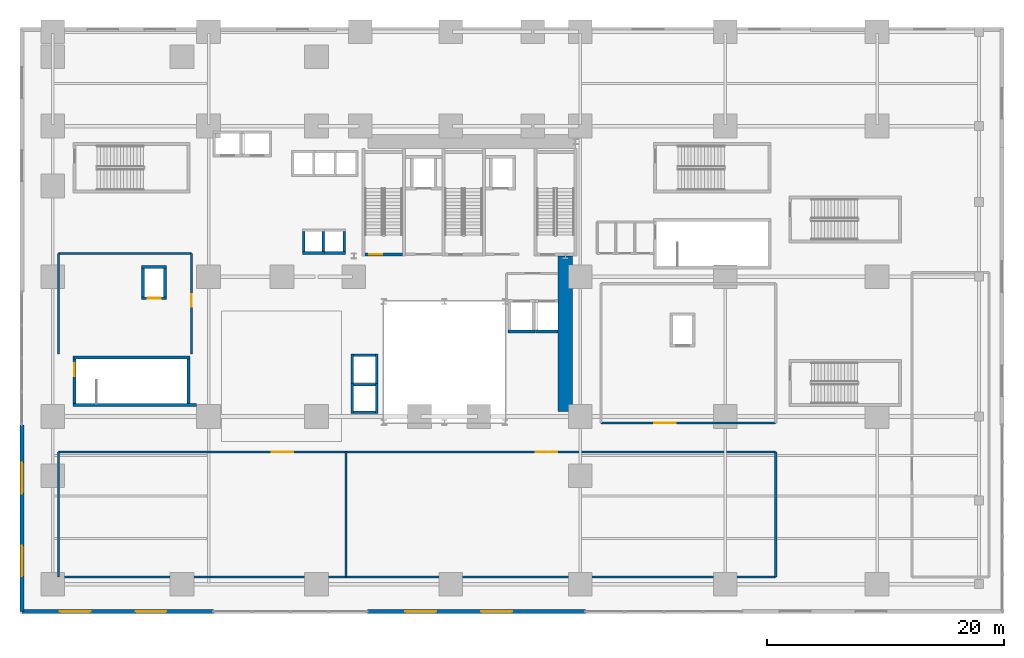
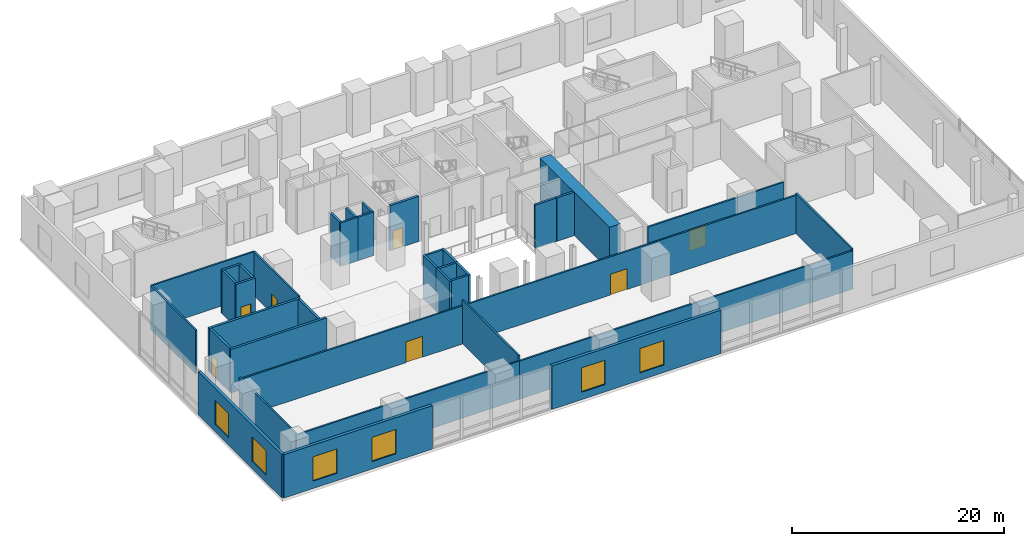
# One storey, part 8 of 15: 38 walls, 7 doors, 6 windows, 13 openings.
"""IFC4 building model written with IfcOpenShell, lengths in metres."""

import ifcopenshell
import ifcopenshell.guid

model = None  # the IFC model being written
_history = None  # IfcOwnerHistory: only IFC2X3 demands one
_inside = {}  # id of a spatial element -> (the spatial element, [elements in it])
_under = {}  # id of a project, library or spatial element -> (it, [spatial elements below it])
_declared = {}  # id of a project -> (the project, [libraries it declares])
_typed = {}  # id of a type object -> (the type object, [elements of that type])
_made_of = {}  # id of a material, layer set ... -> (it, [elements and type objects made of it])


def new_model(schema):
    """Start an empty IFC model of exactly this schema.

    Asked for "IFC4X3", IfcOpenShell would pick the latest addendum, in which some entities
    have other attributes; the version numbers below select the first issue.
    IFC2X3 requires an IfcOwnerHistory on every rooted entity: one is made here for all.
    """
    global model, _history
    if schema == "IFC4X3":
        model = ifcopenshell.file(schema_version=(4, 3, 0, 0))
    else:
        model = ifcopenshell.file(schema=schema)
    _inside.clear()
    _under.clear()
    _declared.clear()
    _typed.clear()
    _made_of.clear()
    _history = None
    if model.schema == "IFC2X3":
        org = make("IfcOrganization", Name="unknown")
        user = make(
            "IfcPersonAndOrganization",
            ThePerson=make("IfcPerson", FamilyName="unknown"),
            TheOrganization=org,
        )
        app = make(
            "IfcApplication",
            ApplicationDeveloper=org,
            Version="unknown",
            ApplicationFullName="unknown",
            ApplicationIdentifier="unknown",
        )
        _history = make(
            "IfcOwnerHistory",
            OwningUser=user,
            OwningApplication=app,
            ChangeAction="ADDED",
            CreationDate=0,
        )
    return model


def make(cls, **values):
    """One entity of the class cls with the attributes given. An attribute that is None is left unset."""
    return model.create_entity(
        cls, **{name: value for name, value in values.items() if value is not None}
    )


def rooted(cls, **values):
    """An entity with a GlobalId (a new one), such as an element, a storey or a relation."""
    return make(cls, GlobalId=ifcopenshell.guid.new(), OwnerHistory=_history, **values)


def si_unit(unit_type, name, prefix=None):
    """IfcSIUnit, for example si_unit("LENGTHUNIT", "METRE", prefix="MILLI")."""
    return make("IfcSIUnit", UnitType=unit_type, Prefix=prefix, Name=name)


def assignment(units):
    """IfcUnitAssignment: the units of a project."""
    return None if units is None else make("IfcUnitAssignment", Units=units)


def point(xyz):
    """IfcCartesianPoint."""
    return None if xyz is None else make("IfcCartesianPoint", Coordinates=xyz)


def direction(xyz):
    """IfcDirection."""
    return None if xyz is None else make("IfcDirection", DirectionRatios=xyz)


def frame(location, z_axis=None, x_axis=None):
    """IfcAxis2Placement3D, a coordinate frame: its origin and axes. An axis left out is left unset."""
    return make(
        "IfcAxis2Placement3D",
        Location=point(location),
        Axis=direction(z_axis),
        RefDirection=direction(x_axis),
    )


def frame_2d(location, x_axis=None):
    """IfcAxis2Placement2D, a coordinate frame in the plane: its origin and x axis."""
    return make(
        "IfcAxis2Placement2D", Location=point(location), RefDirection=direction(x_axis)
    )


def origin():
    """The frame at (0, 0, 0) with its axes left unset."""
    return frame((0.0, 0.0, 0.0))


def place(relative_to, where):
    """IfcLocalPlacement: puts the frame where relative to a parent placement (None: the world)."""
    return make(
        "IfcLocalPlacement", PlacementRelTo=relative_to, RelativePlacement=where
    )


def context(
    kind, dimensions, precision=None, world=None, true_north=None, identifier=None
):
    """IfcGeometricRepresentationContext, for example the 3D "Model" context."""
    return make(
        "IfcGeometricRepresentationContext",
        ContextIdentifier=identifier,
        ContextType=kind,
        CoordinateSpaceDimension=dimensions,
        Precision=precision,
        WorldCoordinateSystem=world,
        TrueNorth=true_north,
    )


def subcontext(parent, identifier, kind, view, scale=None):
    """IfcGeometricRepresentationSubContext, for example "Body" below "Model"."""
    return make(
        "IfcGeometricRepresentationSubContext",
        ContextIdentifier=identifier,
        ContextType=kind,
        ParentContext=parent,
        TargetScale=scale,
        TargetView=view,
    )


def project(units=None, contexts=None):
    """IfcProject with its units and contexts."""
    return rooted(
        "IfcProject",
        Name="project",
        RepresentationContexts=contexts,
        UnitsInContext=assignment(units),
    )


def spatial(cls, under=None, at=None, **own):
    """A site, building, storey or space (cls), placed at a placement, below another one or the project."""
    s = rooted(cls, ObjectPlacement=at, **own)
    if under is not None:
        _under.setdefault(under.id(), (under, []))[1].append(s)
    return s


def profile(cls, at=None, kind="AREA", **sizes):
    """A parametric profile (cls). Its sizes go by their IFC names, for example OverallWidth=200.0."""
    return make(cls, ProfileType=kind, Position=at, **sizes)


def rectangle(**sizes):
    """IfcRectangleProfileDef."""
    return profile("IfcRectangleProfileDef", **sizes)


def extrude(swept, where, along, depth):
    """IfcExtrudedAreaSolid: the profile swept, set in the frame where, extruded along a direction by depth."""
    return make(
        "IfcExtrudedAreaSolid",
        SweptArea=swept,
        Position=where,
        ExtrudedDirection=direction(along),
        Depth=depth,
    )


def shape(context_of_items, identifier, shape_type, items):
    """IfcShapeRepresentation: the items that make up one representation, for example the "Body"."""
    return make(
        "IfcShapeRepresentation",
        ContextOfItems=context_of_items,
        RepresentationIdentifier=identifier,
        RepresentationType=shape_type,
        Items=items,
    )


def source(mapping_origin, context_of_items, identifier, shape_type, items):
    """IfcRepresentationMap: a shape defined once, which mapped items show again and again."""
    return make(
        "IfcRepresentationMap",
        MappingOrigin=mapping_origin,
        MappedRepresentation=shape(context_of_items, identifier, shape_type, items),
    )


def transform(
    local_origin,
    x_axis=None,
    y_axis=None,
    z_axis=None,
    scale=None,
    scale2=None,
    scale3=None,
    uniform=True,
):
    """IfcCartesianTransformationOperator3D, or its non-uniform kind. x_axis, y_axis, z_axis: its Axis1, 2, 3."""
    if uniform:
        return make(
            "IfcCartesianTransformationOperator3D",
            Axis1=direction(x_axis),
            Axis2=direction(y_axis),
            LocalOrigin=point(local_origin),
            Scale=scale,
            Axis3=direction(z_axis),
        )
    return make(
        "IfcCartesianTransformationOperator3DnonUniform",
        Axis1=direction(x_axis),
        Axis2=direction(y_axis),
        LocalOrigin=point(local_origin),
        Scale=scale,
        Axis3=direction(z_axis),
        Scale2=scale2,
        Scale3=scale3,
    )


def mapped(mapping_source, mapping_target):
    """IfcMappedItem: shows the shape of a source again, moved by a transform."""
    return make(
        "IfcMappedItem", MappingSource=mapping_source, MappingTarget=mapping_target
    )


def material(Name=None, Category=None):
    """IfcMaterial."""
    return make("IfcMaterial", Name=Name, Category=Category)


def layer(
    of_material, thickness, ventilated=None, Name=None, Category=None, Priority=None
):
    """IfcMaterialLayer: one layer of a wall or slab, of a material (None: an air gap)."""
    return make(
        "IfcMaterialLayer",
        Material=of_material,
        LayerThickness=thickness,
        IsVentilated=ventilated,
        Name=Name,
        Category=Category,
        Priority=Priority,
    )


def layer_set(layers, Name=None):
    """IfcMaterialLayerSet."""
    return make("IfcMaterialLayerSet", MaterialLayers=layers, LayerSetName=Name)


def made_of(thing, what):
    """Note that an element or type object is made of a material, layer set ...; save() writes the relation."""
    if what is not None:
        _made_of.setdefault(what.id(), (what, []))[1].append(thing)
    return thing


def type_object(cls, material=None, **own):
    """A type object (cls), such as IfcWallType, which elements share."""
    return made_of(rooted(cls, **own), material)


def element(
    cls,
    number,
    at=None,
    inside=None,
    cuts=None,
    type_object=None,
    material=None,
    context=None,
    identifier="Body",
    shape_type=None,
    held_by="IfcProductDefinitionShape",
    body=None,
    shapes=None,
    **own,
):
    """One element of the class cls, such as IfcWall. Its Tag is "e" and its number.

    at: its placement. inside: the storey or other place that contains it. cuts: it is an
    opening in that element (IfcRelVoidsElement). A single representation is given by context,
    identifier, shape_type and body (its items); several are given by shapes. held_by: the class
    of the entity that holds the representations. save() writes the other relations.
    """
    e = rooted(cls, Tag="e%d" % number, ObjectPlacement=at, **own)
    if body is not None:
        shapes = [shape(context, identifier, shape_type, body)]
    if shapes is not None:
        e.Representation = make(held_by, Representations=shapes)
    if inside is not None:
        _inside.setdefault(inside.id(), (inside, []))[1].append(e)
    if cuts is not None:
        rooted(
            "IfcRelVoidsElement", RelatingBuildingElement=cuts, RelatedOpeningElement=e
        )
    if type_object is not None:
        _typed.setdefault(type_object.id(), (type_object, []))[1].append(e)
    return made_of(e, material)


def fill(opening, filler):
    """IfcRelFillsElement: the door or window that sits in an opening."""
    return rooted(
        "IfcRelFillsElement",
        RelatingOpeningElement=opening,
        RelatedBuildingElement=filler,
    )


def aggregate(whole, parts):
    """IfcRelAggregates: a whole, such as a stair, and the parts it consists of."""
    return rooted("IfcRelAggregates", RelatingObject=whole, RelatedObjects=parts)


def save(model, path):
    """Write the relations noted so far, then the file.

    IfcRelAggregates (storeys below a building ...), IfcRelContainedInSpatialStructure (elements
    in a storey), IfcRelDefinesByType, IfcRelAssociatesMaterial and IfcRelDeclares: one each for
    every whole, place, type object, material and project.
    """
    for whole, parts in _under.values():
        aggregate(whole, parts)
    for where, things in _inside.values():
        rooted(
            "IfcRelContainedInSpatialStructure",
            RelatedElements=things,
            RelatingStructure=where,
        )
    for kind, things in _typed.values():
        rooted("IfcRelDefinesByType", RelatedObjects=things, RelatingType=kind)
    for what, things in _made_of.values():
        rooted("IfcRelAssociatesMaterial", RelatedObjects=things, RelatingMaterial=what)
    for by, libraries in _declared.values():
        rooted("IfcRelDeclares", RelatingContext=by, RelatedDefinitions=libraries)
    model.write(path)


model = new_model("IFC4")

# Units and contexts
model_context = context("Model", 3, precision=1e-05, world=origin(), true_north=direction((0.0, 1.0)))
body_context = subcontext(model_context, "Body", "Model", "MODEL_VIEW")
ifc_project = project(units=[si_unit("LENGTHUNIT", "METRE"), si_unit("AREAUNIT", "SQUARE_METRE"), si_unit("VOLUMEUNIT", "CUBIC_METRE"), si_unit("PLANEANGLEUNIT", "RADIAN"), si_unit("MASSUNIT", "GRAM", prefix="KILO")], contexts=[model_context])

# Site, building, storey
site_placement = place(None, origin())
site = spatial("IfcSite", under=ifc_project, at=site_placement, CompositionType="ELEMENT")
building_placement = place(site_placement, origin())
building = spatial("IfcBuilding", under=site, at=building_placement, Name="Vardaveli Station Tower", CompositionType="ELEMENT")
storey_placement = place(building_placement, frame((0.0, 0.0, 6.0)))
storey = spatial("IfcBuildingStorey", under=building, at=storey_placement, Name="L02", CompositionType="ELEMENT", Elevation=6.0)

# Wall
ifc_material_1 = material(Name="Concrete C70/85", Category="concrete")
ifc_layer_1 = layer(ifc_material_1, 1.199951171875, Name="Concrete C70/85")
ifc_layer_set_1 = layer_set([ifc_layer_1], Name="Concrete C70/85")
wall_type_1 = type_object("IfcWallType", Name="WAL-CORE-1200", PredefinedType="SHEAR", material=ifc_layer_set_1)
shared_shape_1 = source(origin(), body_context, "Body", "SweptSolid", [
    extrude(rectangle(XDim=13.14990234375, YDim=1.199951171875, at=frame_2d((6.574951171875, 0.0))), origin(), (0.0, 0.0, 1.0), 5.0),
])
wall_1_placement = place(storey_placement, frame((46.5, 17.5, 0.0), z_axis=(0.0, 0.0, 1.0), x_axis=(0.0, 1.0, 0.0)))
element("IfcWall", 1, at=wall_1_placement, inside=storey, type_object=wall_type_1, Name="SW-L02-EAST2", PredefinedType="SHEAR", context=body_context, shape_type="MappedRepresentation", body=[
    mapped(shared_shape_1, transform((0.0, 0.0, 0.0), scale=1.0)),
])

# Wall, openings, windows
ifc_material_2 = material(Name="Precast concrete C45/55", Category="concrete")
ifc_layer_2 = layer(ifc_material_2, 0.320068359375, Name="Precast concrete C45/55")
ifc_layer_set_2 = layer_set([ifc_layer_2], Name="Precast concrete C45/55")
wall_type_2 = type_object("IfcWallType", Name="WAL-EXT-STONE-320", PredefinedType="SOLIDWALL", material=ifc_layer_set_2)
shared_shape_2 = source(origin(), body_context, "Body", "SweptSolid", [
    extrude(rectangle(XDim=16.150146484375, YDim=0.320068359375, at=frame_2d((8.0751953125, 0.0))), origin(), (0.0, 0.0, 1.0), 5.0),
])
wall_2_placement = place(storey_placement, frame((0.64990234375, 0.64990234375, 0.0), z_axis=(0.0, 0.0, 1.0), x_axis=(1.0, 0.0, 0.0)))
wall_2 = element("IfcWall", 2, at=wall_2_placement, inside=storey, type_object=wall_type_2, Name="EW-L02-S1", PredefinedType="SOLIDWALL", context=body_context, shape_type="MappedRepresentation", body=[
    mapped(shared_shape_2, transform((0.0, 0.0, 0.0), scale=1.0)),
])
shared_shape_3 = source(origin(), body_context, "Body", "SweptSolid", [
    extrude(rectangle(XDim=2.60009765625, YDim=2.800048828125, at=frame_2d((1.300048828125, 1.39990234375))), frame((0.0, 0.169921875, 0.0), z_axis=(0.0, -1.0, 0.0), x_axis=(1.0, 0.0, 0.0)), (0.0, 0.0, 1.0), 0.340087890625),
])
opening_1_placement = place(wall_2_placement, frame((3.199951171875, 0.0, 0.85009765625)))
opening_1 = element("IfcOpeningElement", 3, at=opening_1_placement, cuts=wall_2, Name="Opening W-02", PredefinedType="OPENING", context=body_context, shape_type="MappedRepresentation", body=[
    mapped(shared_shape_3, transform((0.0, 0.0, 0.0), scale=1.0)),
])
opening_2_placement = place(wall_2_placement, frame((9.60009765625, 0.0, 0.85009765625)))
opening_2 = element("IfcOpeningElement", 4, at=opening_2_placement, cuts=wall_2, Name="Opening W-02", PredefinedType="OPENING", context=body_context, shape_type="MappedRepresentation", body=[
    mapped(shared_shape_3, transform((0.0, 0.0, 0.0), scale=1.0)),
])
ifc_material_3 = material(Name="Low-E solar-control glass", Category="glass")
window_type = type_object("IfcWindowType", Name="WIN-POD-2600x2800", PartitioningType="SINGLE_PANEL", PredefinedType="WINDOW", material=ifc_material_3)
shared_shape_4 = source(origin(), body_context, "Body", "SweptSolid", [
    extrude(rectangle(XDim=2.60009765625, YDim=2.800048828125, at=frame_2d((1.300048828125, 1.39990234375))), frame((0.0, 0.030029296875, 0.0), z_axis=(0.0, -1.0, 0.0), x_axis=(1.0, 0.0, 0.0)), (0.0, 0.0, 1.0), 0.06005859375),
])
window_1_placement = place(opening_1_placement, origin())
window_1 = element("IfcWindow", 5, at=window_1_placement, inside=storey, type_object=window_type, Name="WN-L02-S1A", OverallHeight=2.800048828125, OverallWidth=2.60009765625, PartitioningType="SINGLE_PANEL", PredefinedType="WINDOW", context=body_context, shape_type="MappedRepresentation", body=[
    mapped(shared_shape_4, transform((0.0, 0.0, 0.0), scale=1.0)),
])
fill(opening_1, window_1)
window_2_placement = place(opening_2_placement, origin())
window_2 = element("IfcWindow", 6, at=window_2_placement, inside=storey, type_object=window_type, Name="WN-L02-S1B", OverallHeight=2.800048828125, OverallWidth=2.60009765625, PartitioningType="SINGLE_PANEL", PredefinedType="WINDOW", context=body_context, shape_type="MappedRepresentation", body=[
    mapped(shared_shape_4, transform((0.0, 0.0, 0.0), scale=1.0)),
])
fill(opening_2, window_2)

shared_shape_5 = source(origin(), body_context, "Body", "SweptSolid", [
    extrude(rectangle(XDim=18.39990234375, YDim=0.320068359375, at=frame_2d((9.199951171875, 0.0))), origin(), (0.0, 0.0, 1.0), 5.0),
])
wall_3_placement = place(storey_placement, frame((29.800048828125, 0.64990234375, 0.0), z_axis=(0.0, 0.0, 1.0), x_axis=(1.0, 0.0, 0.0)))
wall_3 = element("IfcWall", 7, at=wall_3_placement, inside=storey, type_object=wall_type_2, Name="EW-L02-S3", PredefinedType="SOLIDWALL", context=body_context, shape_type="MappedRepresentation", body=[
    mapped(shared_shape_5, transform((0.0, 0.0, 0.0), scale=1.0)),
])
opening_3_placement = place(wall_3_placement, frame((3.199951171875, 0.0, 0.85009765625)))
opening_3 = element("IfcOpeningElement", 8, at=opening_3_placement, cuts=wall_3, Name="Opening W-02", PredefinedType="OPENING", context=body_context, shape_type="MappedRepresentation", body=[
    mapped(shared_shape_3, transform((0.0, 0.0, 0.0), scale=1.0)),
])
opening_4_placement = place(wall_3_placement, frame((9.60009765625, 0.0, 0.85009765625)))
opening_4 = element("IfcOpeningElement", 9, at=opening_4_placement, cuts=wall_3, Name="Opening W-02", PredefinedType="OPENING", context=body_context, shape_type="MappedRepresentation", body=[
    mapped(shared_shape_3, transform((0.0, 0.0, 0.0), scale=1.0)),
])
window_3_placement = place(opening_3_placement, origin())
window_3 = element("IfcWindow", 10, at=window_3_placement, inside=storey, type_object=window_type, Name="WN-L02-S3A", OverallHeight=2.800048828125, OverallWidth=2.60009765625, PartitioningType="SINGLE_PANEL", PredefinedType="WINDOW", context=body_context, shape_type="MappedRepresentation", body=[
    mapped(shared_shape_4, transform((0.0, 0.0, 0.0), scale=1.0)),
])
fill(opening_3, window_3)
window_4_placement = place(opening_4_placement, origin())
window_4 = element("IfcWindow", 11, at=window_4_placement, inside=storey, type_object=window_type, Name="WN-L02-S3B", OverallHeight=2.800048828125, OverallWidth=2.60009765625, PartitioningType="SINGLE_PANEL", PredefinedType="WINDOW", context=body_context, shape_type="MappedRepresentation", body=[
    mapped(shared_shape_4, transform((0.0, 0.0, 0.0), scale=1.0)),
])
fill(opening_4, window_4)

shared_shape_6 = source(origin(), body_context, "Body", "SweptSolid", [
    extrude(rectangle(XDim=15.75, YDim=0.320068359375, at=frame_2d((7.875, 0.0))), origin(), (0.0, 0.0, 1.0), 5.0),
])
wall_4_placement = place(storey_placement, frame((0.64990234375, 16.39990234375, 0.0), z_axis=(0.0, 0.0, 1.0), x_axis=(0.0, -1.0, 0.0)))
wall_4 = element("IfcWall", 12, at=wall_4_placement, inside=storey, type_object=wall_type_2, Name="EW-L02-W1", PredefinedType="SOLIDWALL", context=body_context, shape_type="MappedRepresentation", body=[
    mapped(shared_shape_6, transform((0.0, 0.0, 0.0), scale=1.0)),
])
opening_5_placement = place(wall_4_placement, frame((3.199951171875, 0.0, 0.85009765625)))
opening_5 = element("IfcOpeningElement", 13, at=opening_5_placement, cuts=wall_4, Name="Opening W-02", PredefinedType="OPENING", context=body_context, shape_type="MappedRepresentation", body=[
    mapped(shared_shape_3, transform((0.0, 0.0, 0.0), scale=1.0)),
])
opening_6_placement = place(wall_4_placement, frame((10.199951171875, 0.0, 0.85009765625)))
opening_6 = element("IfcOpeningElement", 14, at=opening_6_placement, cuts=wall_4, Name="Opening W-02", PredefinedType="OPENING", context=body_context, shape_type="MappedRepresentation", body=[
    mapped(shared_shape_3, transform((0.0, 0.0, 0.0), scale=1.0)),
])
window_5_placement = place(opening_5_placement, origin())
window_5 = element("IfcWindow", 15, at=window_5_placement, inside=storey, type_object=window_type, Name="WN-L02-W1A", OverallHeight=2.800048828125, OverallWidth=2.60009765625, PartitioningType="SINGLE_PANEL", PredefinedType="WINDOW", context=body_context, shape_type="MappedRepresentation", body=[
    mapped(shared_shape_4, transform((0.0, 0.0, 0.0), scale=1.0)),
])
fill(opening_5, window_5)
window_6_placement = place(opening_6_placement, origin())
window_6 = element("IfcWindow", 16, at=window_6_placement, inside=storey, type_object=window_type, Name="WN-L02-W1B", OverallHeight=2.800048828125, OverallWidth=2.60009765625, PartitioningType="SINGLE_PANEL", PredefinedType="WINDOW", context=body_context, shape_type="MappedRepresentation", body=[
    mapped(shared_shape_4, transform((0.0, 0.0, 0.0), scale=1.0)),
])
fill(opening_6, window_6)

# Wall, opening, door
ifc_material_4 = material(Name="Concrete C40/50", Category="concrete")
ifc_layer_3 = layer(ifc_material_4, 0.25, Name="Concrete C40/50")
ifc_layer_set_3 = layer_set([ifc_layer_3], Name="Concrete C40/50")
wall_type_3 = type_object("IfcWallType", Name="WAL-SHAFT-250", PredefinedType="SOLIDWALL", material=ifc_layer_set_3)
shared_shape_7 = source(origin(), body_context, "Body", "SweptSolid", [
    extrude(rectangle(XDim=3.14990234375, YDim=0.25, at=frame_2d((1.574951171875, 0.0))), origin(), (0.0, 0.0, 1.0), 5.199951171875),
])
wall_5_placement = place(storey_placement, frame((29.60009765625, 30.77490234375, 0.0), z_axis=(0.0, 0.0, 1.0), x_axis=(1.0, 0.0, 0.0)))
wall_5 = element("IfcWall", 17, at=wall_5_placement, inside=storey, type_object=wall_type_3, Name="W-L02-ST-1S", PredefinedType="SOLIDWALL", context=body_context, shape_type="MappedRepresentation", body=[
    mapped(shared_shape_7, transform((0.0, 0.0, 0.0), scale=1.0)),
])
shared_shape_8 = source(origin(), body_context, "Body", "SweptSolid", [
    extrude(rectangle(XDim=1.10009765625, YDim=2.199951171875, at=frame_2d((0.550048828125, 1.10009765625))), frame((0.0, 0.135009765625, 0.0), z_axis=(0.0, -1.0, 0.0), x_axis=(1.0, 0.0, 0.0)), (0.0, 0.0, 1.0), 0.27001953125),
])
opening_7_placement = place(wall_5_placement, frame((0.35009765625, 0.0, 0.0)))
opening_7 = element("IfcOpeningElement", 18, at=opening_7_placement, cuts=wall_5, Name="Opening D-04", PredefinedType="OPENING", context=body_context, shape_type="MappedRepresentation", body=[
    mapped(shared_shape_8, transform((0.0, 0.0, 0.0), scale=1.0)),
])
ifc_material_5 = material(Name="Steel smokeproof fire doorset", Category="steel")
door_type_1 = type_object("IfcDoorType", Name="DR-ST-1100x2200", OperationType="NOTDEFINED", PredefinedType="DOOR", material=ifc_material_5)
shared_shape_9 = source(origin(), body_context, "Body", "SweptSolid", [
    extrude(rectangle(XDim=1.10009765625, YDim=2.199951171875, at=frame_2d((0.550048828125, 1.10009765625))), frame((0.0, 0.02490234375, 0.0), z_axis=(0.0, -1.0, 0.0), x_axis=(1.0, 0.0, 0.0)), (0.0, 0.0, 1.0), 0.050048828125),
])
door_1_placement = place(opening_7_placement, origin())
door_1 = element("IfcDoor", 19, at=door_1_placement, inside=storey, type_object=door_type_1, Name="DST-1-L02", OperationType="SINGLE_SWING_LEFT", OverallHeight=2.199951171875, OverallWidth=1.10009765625, PredefinedType="DOOR", context=body_context, shape_type="MappedRepresentation", body=[
    mapped(shared_shape_9, transform((0.0, 0.0, 0.0), scale=1.0)),
])
fill(opening_7, door_1)

# Walls
shared_shape_10 = source(origin(), body_context, "Body", "SweptSolid", [
    extrude(rectangle(XDim=10.449951171875, YDim=0.25, at=frame_2d((5.22509765625, 0.0))), origin(), (0.0, 0.0, 1.0), 5.0),
])
wall_6_placement = place(storey_placement, frame((4.949951171875, 18.074951171875, 0.0), z_axis=(0.0, 0.0, 1.0), x_axis=(1.0, 0.0, 0.0)))
element("IfcWall", 20, at=wall_6_placement, inside=storey, type_object=wall_type_3, Name="W-L02-ST-S1S", PredefinedType="SOLIDWALL", context=body_context, shape_type="MappedRepresentation", body=[
    mapped(shared_shape_10, transform((0.0, 0.0, 0.0), scale=1.0)),
])
shared_shape_11 = source(origin(), body_context, "Body", "SweptSolid", [
    extrude(rectangle(XDim=9.900146484375, YDim=0.25, at=frame_2d((4.9501953125, 0.0))), origin(), (0.0, 0.0, 1.0), 5.0),
])
wall_7_placement = place(storey_placement, frame((4.949951171875, 22.074951171875, 0.0), z_axis=(0.0, 0.0, 1.0), x_axis=(1.0, 0.0, 0.0)))
element("IfcWall", 21, at=wall_7_placement, inside=storey, type_object=wall_type_3, Name="W-L02-ST-S1N", PredefinedType="SOLIDWALL", context=body_context, shape_type="MappedRepresentation", body=[
    mapped(shared_shape_11, transform((0.0, 0.0, 0.0), scale=1.0)),
])
shared_shape_12 = source(origin(), body_context, "Body", "SweptSolid", [
    extrude(rectangle(XDim=3.75, YDim=0.25, at=frame_2d((1.875, 0.0))), origin(), (0.0, 0.0, 1.0), 5.0),
])
wall_8_placement = place(storey_placement, frame((14.72509765625, 18.199951171875, 0.0), z_axis=(0.0, 0.0, 1.0), x_axis=(0.0, 1.0, 0.0)))
element("IfcWall", 22, at=wall_8_placement, inside=storey, type_object=wall_type_3, Name="W-L02-ST-S1E", PredefinedType="SOLIDWALL", context=body_context, shape_type="MappedRepresentation", body=[
    mapped(shared_shape_12, transform((0.0, 0.0, 0.0), scale=1.0)),
])

# Wall, opening, door
wall_9_placement = place(storey_placement, frame((5.074951171875, 18.199951171875, 0.0), z_axis=(0.0, 0.0, 1.0), x_axis=(0.0, 1.0, 0.0)))
wall_9 = element("IfcWall", 23, at=wall_9_placement, inside=storey, type_object=wall_type_3, Name="W-L02-ST-S1W", PredefinedType="SOLIDWALL", context=body_context, shape_type="MappedRepresentation", body=[
    mapped(shared_shape_12, transform((0.0, 0.0, 0.0), scale=1.0)),
])
opening_8_placement = place(wall_9_placement, frame((2.300048828125, 0.0, 0.0)))
opening_8 = element("IfcOpeningElement", 24, at=opening_8_placement, cuts=wall_9, Name="Opening D-04", PredefinedType="OPENING", context=body_context, shape_type="MappedRepresentation", body=[
    mapped(shared_shape_8, transform((0.0, 0.0, 0.0), scale=1.0)),
])
door_2_placement = place(opening_8_placement, origin())
door_2 = element("IfcDoor", 25, at=door_2_placement, inside=storey, type_object=door_type_1, Name="DST-S1-L02", OperationType="SINGLE_SWING_RIGHT", OverallHeight=2.199951171875, OverallWidth=1.10009765625, PredefinedType="DOOR", context=body_context, shape_type="MappedRepresentation", body=[
    mapped(shared_shape_9, transform((0.0, 0.0, 0.0), scale=1.0)),
])
fill(opening_8, door_2)

shared_shape_13 = source(origin(), body_context, "Body", "SweptSolid", [
    extrude(rectangle(XDim=2.10009765625, YDim=0.25, at=frame_2d((1.050048828125, 0.0))), origin(), (0.0, 0.0, 1.0), 5.0),
])
wall_10_placement = place(storey_placement, frame((10.75, 27.074951171875, 0.0), z_axis=(0.0, 0.0, 1.0), x_axis=(1.0, 0.0, 0.0)))
wall_10 = element("IfcWall", 26, at=wall_10_placement, inside=storey, type_object=wall_type_3, Name="SHW-STN-01-L02-S", PredefinedType="SOLIDWALL", context=body_context, shape_type="MappedRepresentation", body=[
    mapped(shared_shape_13, transform((0.0, 0.0, 0.0), scale=1.0)),
])
opening_9_placement = place(wall_10_placement, frame((0.5, 0.0, 0.0)))
opening_9 = element("IfcOpeningElement", 27, at=opening_9_placement, cuts=wall_10, Name="Opening LD-01", PredefinedType="OPENING", context=body_context, shape_type="MappedRepresentation", body=[
    mapped(shared_shape_8, transform((0.0, 0.0, 0.0), scale=1.0)),
])
ifc_material_6 = material(Name="Brushed stainless steel", Category="steel")
door_type_2 = type_object("IfcDoorType", Name="DR-LD-1100x2200", OperationType="DOUBLE_DOOR_SLIDING", PredefinedType="DOOR", material=ifc_material_6)
door_3_placement = place(opening_9_placement, origin())
door_3 = element("IfcDoor", 28, at=door_3_placement, inside=storey, type_object=door_type_2, Name="LD-STN-01-L02", OperationType="DOUBLE_DOOR_SLIDING", OverallHeight=2.199951171875, OverallWidth=1.10009765625, PredefinedType="DOOR", context=body_context, shape_type="MappedRepresentation", body=[
    mapped(shared_shape_9, transform((0.0, 0.0, 0.0), scale=1.0)),
])
fill(opening_9, door_3)

# Walls
wall_11_placement = place(storey_placement, frame((10.75, 29.72509765625, 0.0), z_axis=(0.0, 0.0, 1.0), x_axis=(1.0, 0.0, 0.0)))
element("IfcWall", 29, at=wall_11_placement, inside=storey, type_object=wall_type_3, Name="SHW-STN-01-L02-N", PredefinedType="SOLIDWALL", context=body_context, shape_type="MappedRepresentation", body=[
    mapped(shared_shape_13, transform((0.0, 0.0, 0.0), scale=1.0)),
])
shared_shape_14 = source(origin(), body_context, "Body", "SweptSolid", [
    extrude(rectangle(XDim=2.400146484375, YDim=0.25, at=frame_2d((1.2001953125, 0.0))), origin(), (0.0, 0.0, 1.0), 5.0),
])
for number, where, z_axis, x_axis, name in (
    (30, (10.875, 27.199951171875, 0.0), (0.0, 0.0, 1.0), (0.0, 1.0, 0.0), "SHW-STN-01-L02-W"),
    (31, (12.72509765625, 27.199951171875, 0.0), (0.0, 0.0, 1.0), (0.0, 1.0, 0.0), "SHW-STN-01-L02-E"),
):
    element("IfcWall", number, at=place(storey_placement, frame(where, z_axis=z_axis, x_axis=x_axis)), inside=storey, type_object=wall_type_3, Name=name, PredefinedType="SOLIDWALL", context=body_context, shape_type="MappedRepresentation", body=[
        mapped(shared_shape_14, transform((0.0, 0.0, 0.0), scale=1.0)),
    ])
ifc_layer_4 = layer(ifc_material_4, 0.219970703125, Name="Concrete C40/50")
ifc_layer_set_4 = layer_set([ifc_layer_4], Name="Concrete C40/50")
wall_type_4 = type_object("IfcWallType", Name="WAL-FFLOBBY-220", PredefinedType="SOLIDWALL", material=ifc_layer_set_4)
shared_shape_15 = source(origin(), body_context, "Body", "SweptSolid", [
    extrude(rectangle(XDim=1.89013671875, YDim=0.219970703125, at=frame_2d((0.945068359375, 0.0))), origin(), (0.0, 0.0, 1.0), 5.0),
])
for number, where, z_axis, x_axis, name in (
    (32, (24.304931640625, 30.889892578125, 0.0), (0.0, 0.0, 1.0), (1.0, 0.0, 0.0), "SHW-SHU-01-L02-S"),
    (33, (26.054931640625, 30.889892578125, 0.0), (0.0, 0.0, 1.0), (1.0, 0.0, 0.0), "SHW-SHU-02-L02-S"),
):
    element("IfcWall", number, at=place(storey_placement, frame(where, z_axis=z_axis, x_axis=x_axis)), inside=storey, type_object=wall_type_4, Name=name, PredefinedType="SOLIDWALL", context=body_context, shape_type="MappedRepresentation", body=[
        mapped(shared_shape_15, transform((0.0, 0.0, 0.0), scale=1.0)),
    ])
shared_shape_16 = source(origin(), body_context, "Body", "SweptSolid", [
    extrude(rectangle(XDim=1.699951171875, YDim=0.219970703125, at=frame_2d((0.85009765625, 0.0))), origin(), (0.0, 0.0, 1.0), 5.0),
])
for number, where, z_axis, x_axis, name in (
    (34, (24.4150390625, 31.0, 0.0), (0.0, 0.0, 1.0), (0.0, 1.0, 0.0), "SHW-SHU-01-L02-W"),
    (35, (26.0849609375, 31.0, 0.0), (0.0, 0.0, 1.0), (0.0, 1.0, 0.0), "SHW-SHU-01-L02-E"),
    (36, (27.8349609375, 31.0, 0.0), (0.0, 0.0, 1.0), (0.0, 1.0, 0.0), "SHW-SHU-02-L02-E"),
):
    element("IfcWall", number, at=place(storey_placement, frame(where, z_axis=z_axis, x_axis=x_axis)), inside=storey, type_object=wall_type_4, Name=name, PredefinedType="SOLIDWALL", context=body_context, shape_type="MappedRepresentation", body=[
        mapped(shared_shape_16, transform((0.0, 0.0, 0.0), scale=1.0)),
    ])
shared_shape_17 = source(origin(), body_context, "Body", "SweptSolid", [
    extrude(rectangle(XDim=1.85009765625, YDim=0.219970703125, at=frame_2d((0.925048828125, 0.0))), origin(), (0.0, 0.0, 1.0), 5.0),
])
for number, where, z_axis, x_axis, name in (
    (37, (28.625, 17.43994140625, 0.0), (0.0, 0.0, 1.0), (1.0, 0.0, 0.0), "SHW-OBS-01-L02-S"),
    (38, (28.625, 19.760009765625, 0.0), (0.0, 0.0, 1.0), (1.0, 0.0, 0.0), "SHW-OBS-01-L02-N"),
    (39, (28.625, 22.260009765625, 0.0), (0.0, 0.0, 1.0), (1.0, 0.0, 0.0), "SHW-OBS-02-L02-N"),
):
    element("IfcWall", number, at=place(storey_placement, frame(where, z_axis=z_axis, x_axis=x_axis)), inside=storey, type_object=wall_type_4, Name=name, PredefinedType="SOLIDWALL", context=body_context, shape_type="MappedRepresentation", body=[
        mapped(shared_shape_17, transform((0.0, 0.0, 0.0), scale=1.0)),
    ])
shared_shape_18 = source(origin(), body_context, "Body", "SweptSolid", [
    extrude(rectangle(XDim=2.5400390625, YDim=0.219970703125, at=frame_2d((1.27001953125, 0.0))), origin(), (0.0, 0.0, 1.0), 5.0),
])
for number, where, z_axis, x_axis, name in (
    (40, (28.514892578125, 17.330078125, 0.0), (0.0, 0.0, 1.0), (0.0, 1.0, 0.0), "SHW-OBS-01-L02-W"),
    (41, (30.5849609375, 17.330078125, 0.0), (0.0, 0.0, 1.0), (0.0, 1.0, 0.0), "SHW-OBS-01-L02-E"),
    (42, (28.514892578125, 19.830078125, 0.0), (0.0, 0.0, 1.0), (0.0, 1.0, 0.0), "SHW-OBS-02-L02-W"),
    (43, (30.5849609375, 19.830078125, 0.0), (0.0, 0.0, 1.0), (0.0, 1.0, 0.0), "SHW-OBS-02-L02-E"),
):
    element("IfcWall", number, at=place(storey_placement, frame(where, z_axis=z_axis, x_axis=x_axis)), inside=storey, type_object=wall_type_4, Name=name, PredefinedType="SOLIDWALL", context=body_context, shape_type="MappedRepresentation", body=[
        mapped(shared_shape_18, transform((0.0, 0.0, 0.0), scale=1.0)),
    ])
shared_shape_19 = source(origin(), body_context, "Body", "SweptSolid", [
    extrude(rectangle(XDim=2.300048828125, YDim=0.25, at=frame_2d((1.14990234375, 0.0))), origin(), (0.0, 0.0, 1.0), 5.0),
])
wall_12_placement = place(storey_placement, frame((41.64990234375, 24.27490234375, 0.0), z_axis=(0.0, 0.0, 1.0), x_axis=(1.0, 0.0, 0.0)))
element("IfcWall", 44, at=wall_12_placement, inside=storey, type_object=wall_type_3, Name="SHW-SRV-01-L02-S", PredefinedType="SOLIDWALL", context=body_context, shape_type="MappedRepresentation", body=[
    mapped(shared_shape_19, transform((0.0, 0.0, 0.0), scale=1.0)),
])
shared_shape_20 = source(origin(), body_context, "Body", "SweptSolid", [
    extrude(rectangle(XDim=1.89990234375, YDim=0.25, at=frame_2d((0.949951171875, 0.0))), origin(), (0.0, 0.0, 1.0), 5.0),
])
wall_13_placement = place(storey_placement, frame((44.0, 24.27490234375, 0.0), z_axis=(0.0, 0.0, 1.0), x_axis=(1.0, 0.0, 0.0)))
element("IfcWall", 45, at=wall_13_placement, inside=storey, type_object=wall_type_3, Name="SHW-SRV-02-L02-S", PredefinedType="SOLIDWALL", context=body_context, shape_type="MappedRepresentation", body=[
    mapped(shared_shape_20, transform((0.0, 0.0, 0.0), scale=1.0)),
])

# Wall, opening, door
ifc_material_7 = material(Name="Fire-rated gypsum stud partition")
ifc_layer_5 = layer(ifc_material_7, 0.179931640625, Name="Fire-rated gypsum stud partition")
ifc_layer_set_5 = layer_set([ifc_layer_5], Name="Fire-rated gypsum stud partition")
wall_type_5 = type_object("IfcWallType", Name="WAL-CORR-180", PredefinedType="PARTITIONING", material=ifc_layer_set_5)
shared_shape_21 = source(origin(), body_context, "Body", "SweptSolid", [
    extrude(rectangle(XDim=36.25, YDim=0.179931640625, at=frame_2d((18.125, 0.0))), origin(), (0.0, 0.0, 1.0), 4.39208984375),
])
wall_14_placement = place(storey_placement, frame((28.0, 14.10009765625, 0.0), z_axis=(0.0, 0.0, 1.0), x_axis=(1.0, 0.0, 0.0)))
wall_14 = element("IfcWall", 46, at=wall_14_placement, inside=storey, type_object=wall_type_5, Name="W-L02-MN2-N", PredefinedType="PARTITIONING", context=body_context, shape_type="MappedRepresentation", body=[
    mapped(shared_shape_21, transform((0.0, 0.0, 0.0), scale=1.0)),
])
shared_shape_22 = source(origin(), body_context, "Body", "SweptSolid", [
    extrude(rectangle(XDim=1.800048828125, YDim=2.39990234375, at=frame_2d((0.89990234375, 1.199951171875))), frame((0.0, 0.10009765625, 0.0), z_axis=(0.0, -1.0, 0.0), x_axis=(1.0, 0.0, 0.0)), (0.0, 0.0, 1.0), 0.199951171875),
])
opening_10_placement = place(wall_14_placement, frame((16.0, 0.0, 0.0)))
opening_10 = element("IfcOpeningElement", 47, at=opening_10_placement, cuts=wall_14, Name="Opening D-01", PredefinedType="OPENING", context=body_context, shape_type="MappedRepresentation", body=[
    mapped(shared_shape_22, transform((0.0, 0.0, 0.0), scale=1.0)),
])
ifc_material_8 = material(Name="Acoustic hardwood fire doorset", Category="wood")
door_type_3 = type_object("IfcDoorType", Name="DR-BALL-1800x2400", OperationType="DOUBLE_DOOR_SINGLE_SWING", PredefinedType="DOOR", material=ifc_material_8)
shared_shape_23 = source(origin(), body_context, "Body", "SweptSolid", [
    extrude(rectangle(XDim=1.800048828125, YDim=2.39990234375, at=frame_2d((0.89990234375, 1.199951171875))), frame((0.0, 0.02490234375, 0.0), z_axis=(0.0, -1.0, 0.0), x_axis=(1.0, 0.0, 0.0)), (0.0, 0.0, 1.0), 0.050048828125),
])
door_4_placement = place(opening_10_placement, origin())
door_4 = element("IfcDoor", 48, at=door_4_placement, inside=storey, type_object=door_type_3, Name="D-L02-2", OperationType="DOUBLE_DOOR_SINGLE_SWING", OverallHeight=2.39990234375, OverallWidth=1.800048828125, PredefinedType="DOOR", context=body_context, shape_type="MappedRepresentation", body=[
    mapped(shared_shape_23, transform((0.0, 0.0, 0.0), scale=1.0)),
])
fill(opening_10, door_4)

# Wall
wall_15_placement = place(storey_placement, frame((28.0, 3.550048828125, 0.0), z_axis=(0.0, 0.0, 1.0), x_axis=(1.0, 0.0, 0.0)))
element("IfcWall", 49, at=wall_15_placement, inside=storey, type_object=wall_type_5, Name="W-L02-MN2-S", PredefinedType="PARTITIONING", context=body_context, shape_type="MappedRepresentation", body=[
    mapped(shared_shape_21, transform((0.0, 0.0, 0.0), scale=1.0)),
])

# Wall, opening, door
shared_shape_24 = source(origin(), body_context, "Body", "SweptSolid", [
    extrude(rectangle(XDim=24.25, YDim=0.179931640625, at=frame_2d((12.125, 0.0))), origin(), (0.0, 0.0, 1.0), 4.39208984375),
])
wall_16_placement = place(storey_placement, frame((3.75, 14.10009765625, 0.0), z_axis=(0.0, 0.0, 1.0), x_axis=(1.0, 0.0, 0.0)))
wall_16 = element("IfcWall", 50, at=wall_16_placement, inside=storey, type_object=wall_type_5, Name="W-L02-MN1-N", PredefinedType="PARTITIONING", context=body_context, shape_type="MappedRepresentation", body=[
    mapped(shared_shape_24, transform((0.0, 0.0, 0.0), scale=1.0)),
])
opening_11_placement = place(wall_16_placement, frame((18.0, 0.0, 0.0)))
opening_11 = element("IfcOpeningElement", 51, at=opening_11_placement, cuts=wall_16, Name="Opening D-01", PredefinedType="OPENING", context=body_context, shape_type="MappedRepresentation", body=[
    mapped(shared_shape_22, transform((0.0, 0.0, 0.0), scale=1.0)),
])
door_5_placement = place(opening_11_placement, origin())
door_5 = element("IfcDoor", 52, at=door_5_placement, inside=storey, type_object=door_type_3, Name="D-L02-1", OperationType="DOUBLE_DOOR_SINGLE_SWING", OverallHeight=2.39990234375, OverallWidth=1.800048828125, PredefinedType="DOOR", context=body_context, shape_type="MappedRepresentation", body=[
    mapped(shared_shape_23, transform((0.0, 0.0, 0.0), scale=1.0)),
])
fill(opening_11, door_5)

# Wall
wall_17_placement = place(storey_placement, frame((3.75, 3.550048828125, 0.0), z_axis=(0.0, 0.0, 1.0), x_axis=(1.0, 0.0, 0.0)))
element("IfcWall", 53, at=wall_17_placement, inside=storey, type_object=wall_type_5, Name="W-L02-MN1-S", PredefinedType="PARTITIONING", context=body_context, shape_type="MappedRepresentation", body=[
    mapped(shared_shape_24, transform((0.0, 0.0, 0.0), scale=1.0)),
])

# Wall, opening, door
shared_shape_25 = source(origin(), body_context, "Body", "SweptSolid", [
    extrude(rectangle(XDim=14.75, YDim=0.179931640625, at=frame_2d((7.375, 0.0))), origin(), (0.0, 0.0, 1.0), 4.39208984375),
])
wall_18_placement = place(storey_placement, frame((49.5, 16.550048828125, 0.0), z_axis=(0.0, 0.0, 1.0), x_axis=(1.0, 0.0, 0.0)))
wall_18 = element("IfcWall", 54, at=wall_18_placement, inside=storey, type_object=wall_type_5, Name="W-L02-MN3-S", PredefinedType="PARTITIONING", context=body_context, shape_type="MappedRepresentation", body=[
    mapped(shared_shape_25, transform((0.0, 0.0, 0.0), scale=1.0)),
])
opening_12_placement = place(wall_18_placement, frame((4.5, 0.0, 0.0)))
opening_12 = element("IfcOpeningElement", 55, at=opening_12_placement, cuts=wall_18, Name="Opening D-01", PredefinedType="OPENING", context=body_context, shape_type="MappedRepresentation", body=[
    mapped(shared_shape_22, transform((0.0, 0.0, 0.0), scale=1.0)),
])
door_6_placement = place(opening_12_placement, origin())
door_6 = element("IfcDoor", 56, at=door_6_placement, inside=storey, type_object=door_type_3, Name="D-L02-3", OperationType="DOUBLE_DOOR_SINGLE_SWING", OverallHeight=2.39990234375, OverallWidth=1.800048828125, PredefinedType="DOOR", context=body_context, shape_type="MappedRepresentation", body=[
    mapped(shared_shape_23, transform((0.0, 0.0, 0.0), scale=1.0)),
])
fill(opening_12, door_6)

shared_shape_26 = source(origin(), body_context, "Body", "SweptSolid", [
    extrude(rectangle(XDim=8.5, YDim=0.179931640625, at=frame_2d((4.25, 0.0))), origin(), (0.0, 0.0, 1.0), 5.0),
])
wall_19_placement = place(storey_placement, frame((14.949951171875, 22.35009765625, 0.0), z_axis=(0.0, 0.0, 1.0), x_axis=(0.0, 1.0, 0.0)))
wall_19 = element("IfcWall", 57, at=wall_19_placement, inside=storey, type_object=wall_type_5, Name="W-L02-MN4-E", PredefinedType="PARTITIONING", context=body_context, shape_type="MappedRepresentation", body=[
    mapped(shared_shape_26, transform((0.0, 0.0, 0.0), scale=1.0)),
])
shared_shape_27 = source(origin(), body_context, "Body", "SweptSolid", [
    extrude(rectangle(XDim=1.050048828125, YDim=2.199951171875, at=frame_2d((0.52490234375, 1.10009765625))), frame((0.0, 0.10009765625, 0.0), z_axis=(0.0, -1.0, 0.0), x_axis=(1.0, 0.0, 0.0)), (0.0, 0.0, 1.0), 0.199951171875),
])
opening_13_placement = place(wall_19_placement, frame((4.0, 0.0, 0.0)))
opening_13 = element("IfcOpeningElement", 58, at=opening_13_placement, cuts=wall_19, Name="Opening D-05", PredefinedType="OPENING", context=body_context, shape_type="MappedRepresentation", body=[
    mapped(shared_shape_27, transform((0.0, 0.0, 0.0), scale=1.0)),
])
ifc_material_9 = material(Name="Walnut veneer acoustic fire door")
door_type_4 = type_object("IfcDoorType", Name="DR-SUITE-1050x2200", OperationType="NOTDEFINED", PredefinedType="DOOR", material=ifc_material_9)
shared_shape_28 = source(origin(), body_context, "Body", "SweptSolid", [
    extrude(rectangle(XDim=1.050048828125, YDim=2.199951171875, at=frame_2d((0.52490234375, 1.10009765625))), frame((0.0, 0.02490234375, 0.0), z_axis=(0.0, -1.0, 0.0), x_axis=(1.0, 0.0, 0.0)), (0.0, 0.0, 1.0), 0.050048828125),
])
door_7_placement = place(opening_13_placement, origin())
door_7 = element("IfcDoor", 59, at=door_7_placement, inside=storey, type_object=door_type_4, Name="D-L02-4", OperationType="SINGLE_SWING_LEFT", OverallHeight=2.199951171875, OverallWidth=1.050048828125, PredefinedType="DOOR", context=body_context, shape_type="MappedRepresentation", body=[
    mapped(shared_shape_28, transform((0.0, 0.0, 0.0), scale=1.0)),
])
fill(opening_13, door_7)

# Walls
wall_20_placement = place(storey_placement, frame((3.75, 22.35009765625, 0.0), z_axis=(0.0, 0.0, 1.0), x_axis=(0.0, 1.0, 0.0)))
element("IfcWall", 60, at=wall_20_placement, inside=storey, type_object=wall_type_5, Name="W-L02-MN4-W", PredefinedType="PARTITIONING", context=body_context, shape_type="MappedRepresentation", body=[
    mapped(shared_shape_26, transform((0.0, 0.0, 0.0), scale=1.0)),
])
shared_shape_29 = source(origin(), body_context, "Body", "SweptSolid", [
    extrude(rectangle(XDim=11.199951171875, YDim=0.179931640625, at=frame_2d((5.60009765625, 0.0))), origin(), (0.0, 0.0, 1.0), 5.0),
])
wall_21_placement = place(storey_placement, frame((3.75, 30.85009765625, 0.0), z_axis=(0.0, 0.0, 1.0), x_axis=(1.0, 0.0, 0.0)))
element("IfcWall", 61, at=wall_21_placement, inside=storey, type_object=wall_type_5, Name="W-L02-MN4-N", PredefinedType="PARTITIONING", context=body_context, shape_type="MappedRepresentation", body=[
    mapped(shared_shape_29, transform((0.0, 0.0, 0.0), scale=1.0)),
])
shared_shape_30 = source(origin(), body_context, "Body", "SweptSolid", [
    extrude(rectangle(XDim=10.550048828125, YDim=0.179931640625, at=frame_2d((5.27490234375, 0.0))), origin(), (0.0, 0.0, 1.0), 4.592041015625),
])
for number, where, z_axis, x_axis, name in (
    (62, (3.75, 3.550048828125, 0.0), (0.0, 0.0, 1.0), (0.0, 1.0, 0.0), "W-L02-MN1-W"),
    (63, (64.25, 3.550048828125, 0.0), (0.0, 0.0, 1.0), (0.0, 1.0, 0.0), "W-L02-MN2-E"),
):
    element("IfcWall", number, at=place(storey_placement, frame(where, z_axis=z_axis, x_axis=x_axis)), inside=storey, type_object=wall_type_5, Name=name, PredefinedType="PARTITIONING", context=body_context, shape_type="MappedRepresentation", body=[
        mapped(shared_shape_30, transform((0.0, 0.0, 0.0), scale=1.0)),
    ])
shared_shape_31 = source(origin(), body_context, "Body", "SweptSolid", [
    extrude(rectangle(XDim=10.550048828125, YDim=0.179931640625, at=frame_2d((5.27490234375, 0.0))), origin(), (0.0, 0.0, 1.0), 5.0),
])
wall_22_placement = place(storey_placement, frame((28.0, 3.550048828125, 0.0), z_axis=(0.0, 0.0, 1.0), x_axis=(0.0, 1.0, 0.0)))
element("IfcWall", 64, at=wall_22_placement, inside=storey, type_object=wall_type_5, Name="W-L02-MN1-E", PredefinedType="PARTITIONING", context=body_context, shape_type="MappedRepresentation", body=[
    mapped(shared_shape_31, transform((0.0, 0.0, 0.0), scale=1.0)),
])

save(model, "model.ifc")
